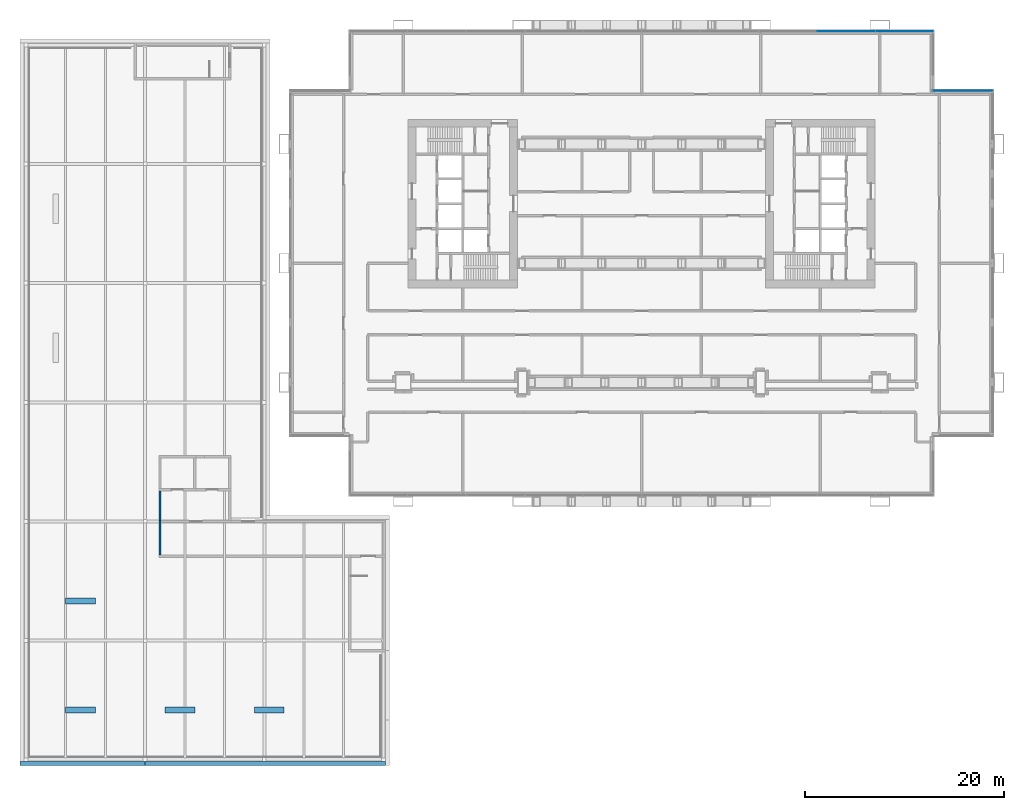
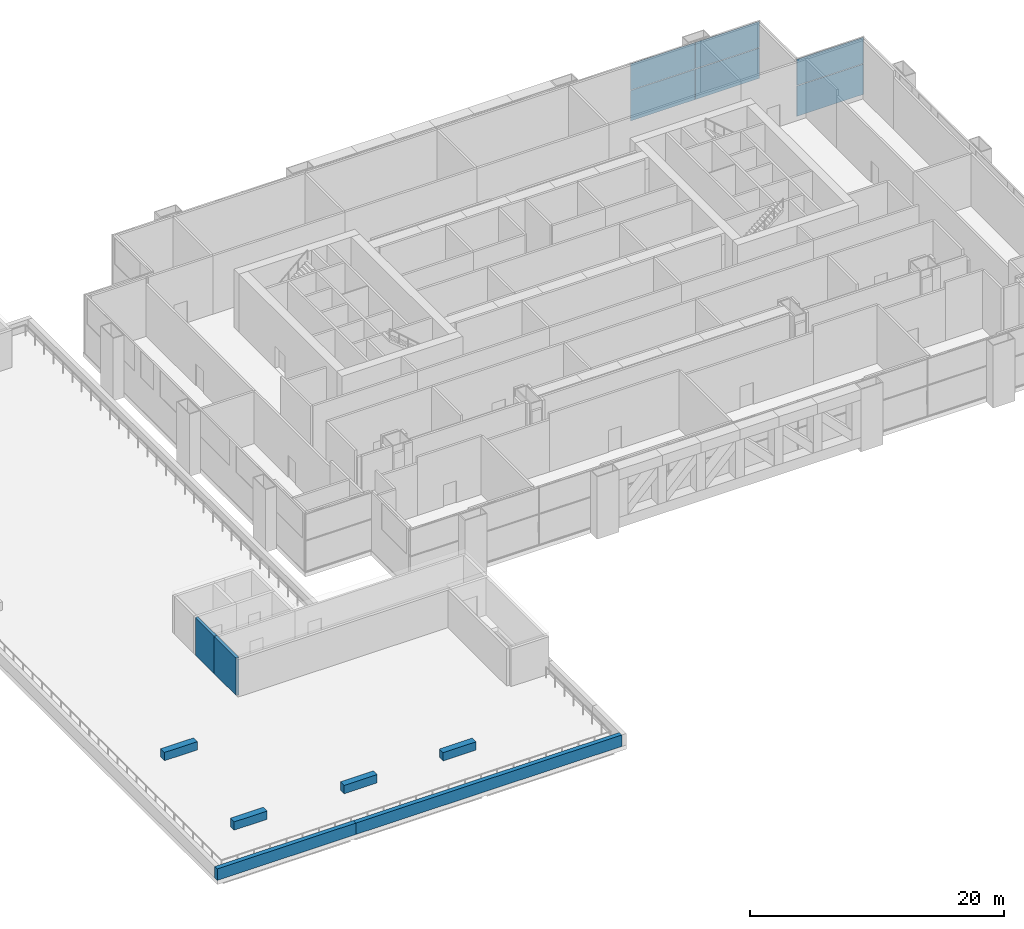
# One storey, part 19 of 27: 8 walls, 6 plates, 2 elements without a shape of their own.
"""IFC4 building model written with IfcOpenShell, lengths in metres."""

from ifc_helpers import new_model, si_unit, direction, frame, frame_2d, origin, origin_2d, place, context, subcontext, project, spatial, rectangle, extrude, material, layer, layer_set, type_object, element, aggregate, save


model = new_model("IFC4")

# Units and contexts
model_context = context("Model", 3, precision=1e-05, world=origin(), true_north=direction((0.0, 1.0)))
body_context = subcontext(model_context, "Body", "Model", "MODEL_VIEW")
ifc_project = project(units=[si_unit("LENGTHUNIT", "METRE"), si_unit("AREAUNIT", "SQUARE_METRE"), si_unit("VOLUMEUNIT", "CUBIC_METRE"), si_unit("PLANEANGLEUNIT", "RADIAN"), si_unit("MASSUNIT", "GRAM", prefix="KILO")], contexts=[model_context])

# Site, building, storey
site_placement = place(None, origin())
site = spatial("IfcSite", under=ifc_project, at=site_placement, CompositionType="ELEMENT")
building_placement = place(site_placement, origin())
building = spatial("IfcBuilding", under=site, at=building_placement, Name="Kitamizu Gate Tower and Museum", CompositionType="ELEMENT")
storey_placement = place(building_placement, frame((0.0, 0.0, 24.0)))
storey = spatial("IfcBuildingStorey", under=building, at=storey_placement, Name="L04", CompositionType="ELEMENT", Elevation=24.0)

# Curtain wall, plates
ifc_material_1 = material(Name="Bronze anodised aluminium frame, tinted triple glazing", Category="aluminium")
curtain_wall_type = type_object("IfcCurtainWallType", Name="CURTAIN WALL TYPE F TRANSFER STOREY", PredefinedType="NOTDEFINED", material=ifc_material_1)
curtain_wall_1_placement = place(storey_placement, origin())
curtain_wall_1 = element("IfcCurtainWall", 1, at=curtain_wall_1_placement, inside=storey, type_object=curtain_wall_type, Name="Curtain wall CW-F north L04", PredefinedType="NOTDEFINED")
ifc_material_2 = material(Name="Tinted insulating glass", Category="glass")
ifc_layer_1 = layer(ifc_material_2, 0.030029296875)
ifc_layer_set_1 = layer_set([ifc_layer_1], Name="Tinted insulating glass")
plate_type = type_object("IfcPlateType", Name="GLASS PANEL 30 TYPE F", PredefinedType="CURTAIN_PANEL", material=ifc_layer_set_1)
plate_1_placement = place(storey_placement, frame((68.364990234375, 41.364990234375, 0.06005859375), z_axis=(0.0, 0.0, 1.0), x_axis=(1.0, 0.0, 0.0)))
plate_1 = element("IfcPlate", 2, at=plate_1_placement, type_object=plate_type, Name="CW-F panel 1.1", PredefinedType="CURTAIN_PANEL", context=body_context, shape_type="SweptSolid", body=[
    extrude(rectangle(XDim=6.050048828125, YDim=0.030029296875, at=origin_2d()), origin(), (0.0, 0.0, 1.0), 2.909912109375),
])
plate_2_placement = place(storey_placement, frame((68.364990234375, 41.364990234375, 3.02978515625), z_axis=(0.0, 0.0, 1.0), x_axis=(1.0, 0.0, 0.0)))
plate_2 = element("IfcPlate", 3, at=plate_2_placement, type_object=plate_type, Name="CW-F panel 1.2", PredefinedType="CURTAIN_PANEL", context=body_context, shape_type="SweptSolid", body=[
    extrude(rectangle(XDim=6.050048828125, YDim=0.030029296875, at=origin_2d()), origin(), (0.0, 0.0, 1.0), 2.510009765625),
])
aggregate(curtain_wall_1, [plate_1, plate_2])

curtain_wall_2_placement = place(storey_placement, origin())
curtain_wall_2 = element("IfcCurtainWall", 4, at=curtain_wall_2_placement, inside=storey, type_object=curtain_wall_type, Name="Curtain wall CW-F north L04 part 3", PredefinedType="NOTDEFINED")
plate_3_placement = place(storey_placement, frame((56.60791015625, 47.364990234375, 0.06005859375), z_axis=(0.0, 0.0, 1.0), x_axis=(1.0, 0.0, 0.0)))
plate_3 = element("IfcPlate", 5, at=plate_3_placement, type_object=plate_type, Name="CW-F panel 2.1", PredefinedType="CURTAIN_PANEL", context=body_context, shape_type="SweptSolid", body=[
    extrude(rectangle(XDim=5.837890625, YDim=0.030029296875, at=origin_2d()), origin(), (0.0, 0.0, 1.0), 2.909912109375),
])
plate_4_placement = place(storey_placement, frame((56.60791015625, 47.364990234375, 3.02978515625), z_axis=(0.0, 0.0, 1.0), x_axis=(1.0, 0.0, 0.0)))
plate_4 = element("IfcPlate", 6, at=plate_4_placement, type_object=plate_type, Name="CW-F panel 2.2", PredefinedType="CURTAIN_PANEL", context=body_context, shape_type="SweptSolid", body=[
    extrude(rectangle(XDim=5.837890625, YDim=0.030029296875, at=origin_2d()), origin(), (0.0, 0.0, 1.0), 2.510009765625),
])
plate_5_placement = place(storey_placement, frame((62.4833984375, 47.364990234375, 0.06005859375), z_axis=(0.0, 0.0, 1.0), x_axis=(1.0, 0.0, 0.0)))
plate_5 = element("IfcPlate", 7, at=plate_5_placement, type_object=plate_type, Name="CW-F panel 3.1", PredefinedType="CURTAIN_PANEL", context=body_context, shape_type="SweptSolid", body=[
    extrude(rectangle(XDim=5.81298828125, YDim=0.030029296875, at=origin_2d()), origin(), (0.0, 0.0, 1.0), 2.909912109375),
])
plate_6_placement = place(storey_placement, frame((62.4833984375, 47.364990234375, 3.02978515625), z_axis=(0.0, 0.0, 1.0), x_axis=(1.0, 0.0, 0.0)))
plate_6 = element("IfcPlate", 8, at=plate_6_placement, type_object=plate_type, Name="CW-F panel 3.2", PredefinedType="CURTAIN_PANEL", context=body_context, shape_type="SweptSolid", body=[
    extrude(rectangle(XDim=5.81298828125, YDim=0.030029296875, at=origin_2d()), origin(), (0.0, 0.0, 1.0), 2.510009765625),
])
aggregate(curtain_wall_2, [plate_3, plate_4, plate_5, plate_6])

# Walls
ifc_material_3 = material(Name="Concrete Fc30", Category="concrete")
ifc_layer_2 = layer(ifc_material_3, 0.25)
ifc_layer_set_2 = layer_set([ifc_layer_2], Name="Concrete Fc30")
wall_type_1 = type_object("IfcWallType", Name="Museum RC core wall 250", PredefinedType="SHEAR", material=ifc_layer_set_2)
wall_1_placement = place(storey_placement, frame((-12.5, -1.89990234375, 0.0), z_axis=(0.0, 0.0, 1.0), x_axis=(0.0, 1.0, 0.0)))
element("IfcWall", 9, at=wall_1_placement, inside=storey, type_object=wall_type_1, Name="Head-house wall 23.1", PredefinedType="SHEAR", context=body_context, shape_type="SweptSolid", body=[
    extrude(rectangle(XDim=2.974853515625, YDim=0.25, at=frame_2d((1.4873046875, 0.0))), origin(), (0.0, 0.0, 1.0), 3.60009765625),
])
ifc_material_4 = material(Name="Concrete Fc30", Category="concrete")
ifc_layer_3 = layer(ifc_material_4, 0.25)
ifc_layer_set_3 = layer_set([ifc_layer_3], Name="Concrete Fc30")
wall_type_2 = type_object("IfcWallType", Name="Museum RC head house wall 250", PredefinedType="SHEAR", material=ifc_layer_set_3)
wall_2_placement = place(storey_placement, frame((-12.5, -5.375, 0.0), z_axis=(0.0, 0.0, 1.0), x_axis=(0.0, 1.0, 0.0)))
element("IfcWall", 10, at=wall_2_placement, inside=storey, type_object=wall_type_2, Name="Head-house wall C.2", PredefinedType="SHEAR", context=body_context, shape_type="SweptSolid", body=[
    extrude(rectangle(XDim=3.47509765625, YDim=0.25, at=frame_2d((1.737548828125, 0.0))), origin(), (0.0, 0.0, 1.0), 3.60009765625),
])
ifc_material_5 = material(Name="Concrete Fc30 precast", Category="concrete")
ifc_layer_4 = layer(ifc_material_5, 0.39990234375)
ifc_layer_set_4 = layer_set([ifc_layer_4], Name="Concrete Fc30 precast")
wall_type_3 = type_object("IfcWallType", Name="Museum parapet 400", PredefinedType="PARAPET", material=ifc_layer_set_4)
wall_3_placement = place(storey_placement, frame((-14.0, -26.39990234375, 0.0), z_axis=(0.0, 0.0, 1.0), x_axis=(1.0, 0.0, 0.0)))
element("IfcWall", 11, at=wall_3_placement, inside=storey, type_object=wall_type_3, Name="Parapet 1", PredefinedType="PARAPET", context=body_context, shape_type="SweptSolid", body=[
    extrude(rectangle(XDim=24.199951171875, YDim=0.39990234375, at=frame_2d((12.10009765625, 0.0))), origin(), (0.0, 0.0, 1.0), 1.10009765625),
])
wall_4_placement = place(storey_placement, frame((-26.60009765625, -26.39990234375, 0.0), z_axis=(0.0, 0.0, 1.0), x_axis=(1.0, 0.0, 0.0)))
element("IfcWall", 12, at=wall_4_placement, inside=storey, type_object=wall_type_3, Name="Parapet 3", PredefinedType="PARAPET", context=body_context, shape_type="SweptSolid", body=[
    extrude(rectangle(XDim=12.60009765625, YDim=0.39990234375, at=frame_2d((6.300048828125, 0.0))), origin(), (0.0, 0.0, 1.0), 1.10009765625),
])
ifc_material_6 = material(Name="Concrete Fc30", Category="concrete")
ifc_layer_5 = layer(ifc_material_6, 0.60009765625)
ifc_layer_set_5 = layer_set([ifc_layer_5], Name="Concrete Fc30")
wall_type_4 = type_object("IfcWallType", Name="Museum roof garden planting bed 600", PredefinedType="USERDEFINED", material=ifc_layer_set_5)
for number, where, z_axis, x_axis, name in (
    (13, (-22.0, -21.0, 0.0), (0.0, 0.0, 1.0), (1.0, 0.0, 0.0), "Planting bed 1"),
    (14, (-12.0, -21.0, 0.0), (0.0, 0.0, 1.0), (1.0, 0.0, 0.0), "Planting bed 2"),
    (15, (-3.0, -21.0, 0.0), (0.0, 0.0, 1.0), (1.0, 0.0, 0.0), "Planting bed 3"),
    (16, (-22.0, -10.0, 0.0), (0.0, 0.0, 1.0), (1.0, 0.0, 0.0), "Planting bed 4"),
):
    element("IfcWall", number, at=place(storey_placement, frame(where, z_axis=z_axis, x_axis=x_axis)), inside=storey, type_object=wall_type_4, Name=name, ObjectType="PLANTER", PredefinedType="USERDEFINED", context=body_context, shape_type="SweptSolid", body=[
        extrude(rectangle(XDim=3.0, YDim=0.60009765625, at=frame_2d((1.5, 0.0))), origin(), (0.0, 0.0, 1.0), 0.800048828125),
    ])

save(model, "model.ifc")
